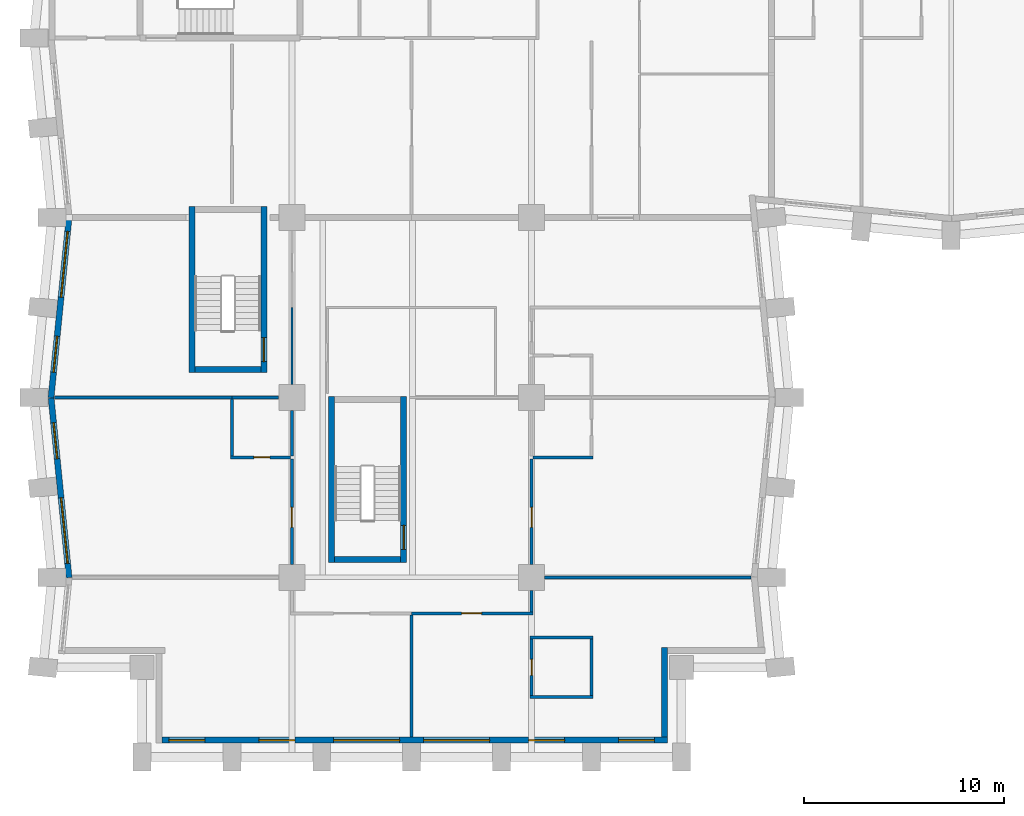
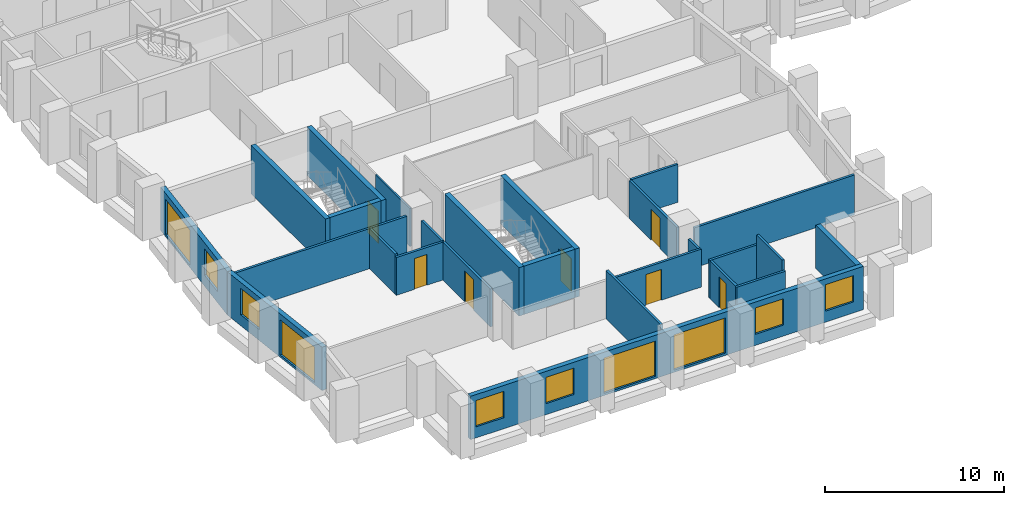
# One storey, part 3 of 13: 27 walls, 10 windows, 7 doors, 17 openings.
"""IFC4 building model written with IfcOpenShell, lengths in metres."""

from ifc_helpers import new_model, si_unit, direction, frame, frame_2d, origin, place, context, subcontext, project, spatial, rectangle, extrude, material, layer, layer_set, type_object, element, fill, save


model = new_model("IFC4")

# Units and contexts
model_context = context("Model", 3, precision=1e-05, world=origin(), true_north=direction((0.0, 1.0)))
body_context = subcontext(model_context, "Body", "Model", "MODEL_VIEW")
ifc_project = project(units=[si_unit("LENGTHUNIT", "METRE"), si_unit("AREAUNIT", "SQUARE_METRE"), si_unit("VOLUMEUNIT", "CUBIC_METRE"), si_unit("PLANEANGLEUNIT", "RADIAN"), si_unit("MASSUNIT", "GRAM", prefix="KILO")], contexts=[model_context])

# Site, building, storey
site_placement = place(None, origin())
site = spatial("IfcSite", under=ifc_project, at=site_placement, CompositionType="ELEMENT")
building_placement = place(site_placement, origin())
building = spatial("IfcBuilding", under=site, at=building_placement, Name="Brondeck Convention Tower", CompositionType="ELEMENT")
storey_placement = place(building_placement, frame((0.0, 0.0, 48.300048828125)))
storey = spatial("IfcBuildingStorey", under=building, at=storey_placement, Name="L09", CompositionType="ELEMENT", Elevation=48.300048828125)

# Wall, openings, windows
ifc_material_1 = material(Name="Precast concrete C50/60 bronze finish", Category="concrete")
ifc_layer_1 = layer(ifc_material_1, 0.070068359375, Name="Bronze precast facing")
ifc_material_2 = material(Name="Mineral wool")
ifc_layer_2 = layer(ifc_material_2, 0.159912109375, Name="Insulation")
ifc_material_3 = material(Name="Concrete C35/45", Category="concrete")
ifc_layer_3 = layer(ifc_material_3, 0.070068359375, Name="Backing")
ifc_layer_set_1 = layer_set([ifc_layer_1, ifc_layer_2, ifc_layer_3], Name="External infill wall, precast concrete C50/60 bronze facing")
wall_type_1 = type_object("IfcWallType", Name="External infill wall, precast concrete C50/60 bronze facing", PredefinedType="SOLIDWALL", material=ifc_layer_set_1)
wall_1_placement = place(storey_placement, frame((30.800048828125, 0.85009765625, 0.0), z_axis=(0.0, 0.0, 1.0), x_axis=(-1.0, 0.0, 0.0)))
wall_1 = element("IfcWall", 1, at=wall_1_placement, inside=storey, type_object=wall_type_1, Name="ENV-EW-L09-P0-B-S0-01", PredefinedType="SOLIDWALL", context=body_context, shape_type="SweptSolid", body=[
    extrude(rectangle(XDim=25.300048828125, YDim=0.300048828125, at=frame_2d((12.64990234375, 0.0))), origin(), (0.0, 0.0, 1.0), 2.949951171875),
])
opening_1_placement = place(wall_1_placement, frame((0.64990234375, 0.0, 0.75)))
opening_1 = element("IfcOpeningElement", 2, at=opening_1_placement, cuts=wall_1, Name="Opening W10", PredefinedType="OPENING", context=body_context, shape_type="SweptSolid", body=[
    extrude(rectangle(XDim=1.800048828125, YDim=1.800048828125, at=frame_2d((0.89990234375, 0.89990234375))), frame((0.0, 0.159912109375, 0.0), z_axis=(0.0, -1.0, 0.0), x_axis=(1.0, 0.0, 0.0)), (0.0, 0.0, 1.0), 0.320068359375),
])
opening_2_placement = place(wall_1_placement, frame((5.14990234375, 0.0, 0.75)))
opening_2 = element("IfcOpeningElement", 3, at=opening_2_placement, cuts=wall_1, Name="Opening W10", PredefinedType="OPENING", context=body_context, shape_type="SweptSolid", body=[
    extrude(rectangle(XDim=1.800048828125, YDim=1.800048828125, at=frame_2d((0.89990234375, 0.89990234375))), frame((0.0, 0.159912109375, 0.0), z_axis=(0.0, -1.0, 0.0), x_axis=(1.0, 0.0, 0.0)), (0.0, 0.0, 1.0), 0.320068359375),
])
opening_3_placement = place(wall_1_placement, frame((8.89990234375, 0.0, 0.14990234375)))
opening_3 = element("IfcOpeningElement", 4, at=opening_3_placement, cuts=wall_1, Name="Opening W9", PredefinedType="OPENING", context=body_context, shape_type="SweptSolid", body=[
    extrude(rectangle(XDim=3.300048828125, YDim=2.39990234375, at=frame_2d((1.64990234375, 1.199951171875))), frame((0.0, 0.159912109375, 0.0), z_axis=(0.0, -1.0, 0.0), x_axis=(1.0, 0.0, 0.0)), (0.0, 0.0, 1.0), 0.320068359375),
])
opening_4_placement = place(wall_1_placement, frame((13.39990234375, 0.0, 0.14990234375)))
opening_4 = element("IfcOpeningElement", 5, at=opening_4_placement, cuts=wall_1, Name="Opening W9", PredefinedType="OPENING", context=body_context, shape_type="SweptSolid", body=[
    extrude(rectangle(XDim=3.300048828125, YDim=2.39990234375, at=frame_2d((1.64990234375, 1.199951171875))), frame((0.0, 0.159912109375, 0.0), z_axis=(0.0, -1.0, 0.0), x_axis=(1.0, 0.0, 0.0)), (0.0, 0.0, 1.0), 0.320068359375),
])
opening_5_placement = place(wall_1_placement, frame((18.64990234375, 0.0, 0.75)))
opening_5 = element("IfcOpeningElement", 6, at=opening_5_placement, cuts=wall_1, Name="Opening W10", PredefinedType="OPENING", context=body_context, shape_type="SweptSolid", body=[
    extrude(rectangle(XDim=1.800048828125, YDim=1.800048828125, at=frame_2d((0.89990234375, 0.89990234375))), frame((0.0, 0.159912109375, 0.0), z_axis=(0.0, -1.0, 0.0), x_axis=(1.0, 0.0, 0.0)), (0.0, 0.0, 1.0), 0.320068359375),
])
opening_6_placement = place(wall_1_placement, frame((23.14990234375, 0.0, 0.75)))
opening_6 = element("IfcOpeningElement", 7, at=opening_6_placement, cuts=wall_1, Name="Opening W10", PredefinedType="OPENING", context=body_context, shape_type="SweptSolid", body=[
    extrude(rectangle(XDim=1.800048828125, YDim=1.800048828125, at=frame_2d((0.89990234375, 0.89990234375))), frame((0.0, 0.159912109375, 0.0), z_axis=(0.0, -1.0, 0.0), x_axis=(1.0, 0.0, 0.0)), (0.0, 0.0, 1.0), 0.320068359375),
])
ifc_material_4 = material(Name="Bronze tinted double glazing", Category="glass")
window_type_1 = type_object("IfcWindowType", Name="Glazed flute window, bronze tinted", PartitioningType="SINGLE_PANEL", PredefinedType="WINDOW", material=ifc_material_4)
window_1_placement = place(opening_3_placement, origin())
window_1 = element("IfcWindow", 8, at=window_1_placement, inside=storey, type_object=window_type_1, Name="ENV-WN-L09-P0-B-S0-04", OverallHeight=2.39990234375, OverallWidth=3.300048828125, PartitioningType="SINGLE_PANEL", PredefinedType="WINDOW", context=body_context, shape_type="SweptSolid", body=[
    extrude(rectangle(XDim=3.300048828125, YDim=2.39990234375, at=frame_2d((1.64990234375, 1.199951171875))), frame((0.0, 0.030029296875, 0.0), z_axis=(0.0, -1.0, 0.0), x_axis=(1.0, 0.0, 0.0)), (0.0, 0.0, 1.0), 0.06005859375),
])
fill(opening_3, window_1)
window_2_placement = place(opening_4_placement, origin())
window_2 = element("IfcWindow", 9, at=window_2_placement, inside=storey, type_object=window_type_1, Name="ENV-WN-L09-P0-B-S0-03", OverallHeight=2.39990234375, OverallWidth=3.300048828125, PartitioningType="SINGLE_PANEL", PredefinedType="WINDOW", context=body_context, shape_type="SweptSolid", body=[
    extrude(rectangle(XDim=3.300048828125, YDim=2.39990234375, at=frame_2d((1.64990234375, 1.199951171875))), frame((0.0, 0.030029296875, 0.0), z_axis=(0.0, -1.0, 0.0), x_axis=(1.0, 0.0, 0.0)), (0.0, 0.0, 1.0), 0.06005859375),
])
fill(opening_4, window_2)
window_type_2 = type_object("IfcWindowType", Name="Punched window, bronze tinted", PartitioningType="SINGLE_PANEL", PredefinedType="WINDOW", material=ifc_material_4)
window_3_placement = place(opening_1_placement, origin())
window_3 = element("IfcWindow", 10, at=window_3_placement, inside=storey, type_object=window_type_2, Name="ENV-WN-L09-P0-B-S0-06", OverallHeight=1.800048828125, OverallWidth=1.800048828125, PartitioningType="SINGLE_PANEL", PredefinedType="WINDOW", context=body_context, shape_type="SweptSolid", body=[
    extrude(rectangle(XDim=1.800048828125, YDim=1.800048828125, at=frame_2d((0.89990234375, 0.89990234375))), frame((0.0, 0.030029296875, 0.0), z_axis=(0.0, -1.0, 0.0), x_axis=(1.0, 0.0, 0.0)), (0.0, 0.0, 1.0), 0.06005859375),
])
fill(opening_1, window_3)
window_4_placement = place(opening_2_placement, origin())
window_4 = element("IfcWindow", 11, at=window_4_placement, inside=storey, type_object=window_type_2, Name="ENV-WN-L09-P0-B-S0-05", OverallHeight=1.800048828125, OverallWidth=1.800048828125, PartitioningType="SINGLE_PANEL", PredefinedType="WINDOW", context=body_context, shape_type="SweptSolid", body=[
    extrude(rectangle(XDim=1.800048828125, YDim=1.800048828125, at=frame_2d((0.89990234375, 0.89990234375))), frame((0.0, 0.030029296875, 0.0), z_axis=(0.0, -1.0, 0.0), x_axis=(1.0, 0.0, 0.0)), (0.0, 0.0, 1.0), 0.06005859375),
])
fill(opening_2, window_4)
window_5_placement = place(opening_5_placement, origin())
window_5 = element("IfcWindow", 12, at=window_5_placement, inside=storey, type_object=window_type_2, Name="ENV-WN-L09-P0-B-S0-02", OverallHeight=1.800048828125, OverallWidth=1.800048828125, PartitioningType="SINGLE_PANEL", PredefinedType="WINDOW", context=body_context, shape_type="SweptSolid", body=[
    extrude(rectangle(XDim=1.800048828125, YDim=1.800048828125, at=frame_2d((0.89990234375, 0.89990234375))), frame((0.0, 0.030029296875, 0.0), z_axis=(0.0, -1.0, 0.0), x_axis=(1.0, 0.0, 0.0)), (0.0, 0.0, 1.0), 0.06005859375),
])
fill(opening_5, window_5)
window_6_placement = place(opening_6_placement, origin())
window_6 = element("IfcWindow", 13, at=window_6_placement, inside=storey, type_object=window_type_2, Name="ENV-WN-L09-P0-B-S0-01", OverallHeight=1.800048828125, OverallWidth=1.800048828125, PartitioningType="SINGLE_PANEL", PredefinedType="WINDOW", context=body_context, shape_type="SweptSolid", body=[
    extrude(rectangle(XDim=1.800048828125, YDim=1.800048828125, at=frame_2d((0.89990234375, 0.89990234375))), frame((0.0, 0.030029296875, 0.0), z_axis=(0.0, -1.0, 0.0), x_axis=(1.0, 0.0, 0.0)), (0.0, 0.0, 1.0), 0.06005859375),
])
fill(opening_6, window_6)

# Wall
wall_2_placement = place(storey_placement, frame((30.64990234375, 5.5, 0.0), z_axis=(0.0, 0.0, 1.0), x_axis=(0.0, -1.0, 0.0)))
element("IfcWall", 14, at=wall_2_placement, inside=storey, type_object=wall_type_1, Name="ENV-EW-L09-P0-NC-SEB0-01", PredefinedType="SOLIDWALL", context=body_context, shape_type="SweptSolid", body=[
    extrude(rectangle(XDim=4.501953125, YDim=0.300048828125, at=frame_2d((2.2509765625, 0.0))), origin(), (0.0, 0.0, 1.0), 2.949951171875),
])

# Wall, openings, windows
wall_3_placement = place(storey_placement, frame((-0.04736328125, 17.985107421875, 0.0), z_axis=(0.0, 0.0, 1.0), x_axis=(0.099522457379, 0.995035316196, 0.0)))
wall_3 = element("IfcWall", 15, at=wall_3_placement, inside=storey, type_object=wall_type_1, Name="ENV-EW-L09-P0-B-W-08", PredefinedType="SOLIDWALL", context=body_context, shape_type="SweptSolid", body=[
    extrude(rectangle(XDim=9.030029296875, YDim=0.300048828125, at=frame_2d((4.51513671875, 0.0))), origin(), (0.0, 0.0, 1.0), 2.949951171875),
])
opening_7_placement = place(wall_3_placement, frame((1.291259765625, 0.0, 0.75)))
opening_7 = element("IfcOpeningElement", 16, at=opening_7_placement, cuts=wall_3, Name="Opening W10", PredefinedType="OPENING", context=body_context, shape_type="SweptSolid", body=[
    extrude(rectangle(XDim=1.800048828125, YDim=1.800048828125, at=frame_2d((0.89990234375, 0.89990234375))), frame((0.0, 0.159912109375, 0.0), z_axis=(0.0, -1.0, 0.0), x_axis=(1.0, 0.0, 0.0)), (0.0, 0.0, 1.0), 0.320068359375),
])
opening_8_placement = place(wall_3_placement, frame((5.063720703125, 0.0, 0.14990234375)))
opening_8 = element("IfcOpeningElement", 17, at=opening_8_placement, cuts=wall_3, Name="Opening W9", PredefinedType="OPENING", context=body_context, shape_type="SweptSolid", body=[
    extrude(rectangle(XDim=3.300048828125, YDim=2.39990234375, at=frame_2d((1.64990234375, 1.199951171875))), frame((0.0, 0.159912109375, 0.0), z_axis=(0.0, -1.0, 0.0), x_axis=(1.0, 0.0, 0.0)), (0.0, 0.0, 1.0), 0.320068359375),
])
window_7_placement = place(opening_8_placement, origin())
window_7 = element("IfcWindow", 18, at=window_7_placement, inside=storey, type_object=window_type_1, Name="ENV-WN-L09-P0-B-W-08", OverallHeight=2.39990234375, OverallWidth=3.300048828125, PartitioningType="SINGLE_PANEL", PredefinedType="WINDOW", context=body_context, shape_type="SweptSolid", body=[
    extrude(rectangle(XDim=3.300048828125, YDim=2.39990234375, at=frame_2d((1.64990234375, 1.199951171875))), frame((0.0, 0.030029296875, 0.0), z_axis=(0.0, -1.0, 0.0), x_axis=(1.0, 0.0, 0.0)), (0.0, 0.0, 1.0), 0.06005859375),
])
fill(opening_8, window_7)
window_8_placement = place(opening_7_placement, origin())
window_8 = element("IfcWindow", 19, at=window_8_placement, inside=storey, type_object=window_type_2, Name="ENV-WN-L09-P0-B-W-09", OverallHeight=1.800048828125, OverallWidth=1.800048828125, PartitioningType="SINGLE_PANEL", PredefinedType="WINDOW", context=body_context, shape_type="SweptSolid", body=[
    extrude(rectangle(XDim=1.800048828125, YDim=1.800048828125, at=frame_2d((0.89990234375, 0.89990234375))), frame((0.0, 0.030029296875, 0.0), z_axis=(0.0, -1.0, 0.0), x_axis=(1.0, 0.0, 0.0)), (0.0, 0.0, 1.0), 0.06005859375),
])
fill(opening_7, window_8)

wall_4_placement = place(storey_placement, frame((0.855712890625, 8.985107421875, 0.0), z_axis=(0.0, 0.0, 1.0), x_axis=(-0.099495688264, 0.995037993253, 0.0)))
wall_4 = element("IfcWall", 20, at=wall_4_placement, inside=storey, type_object=wall_type_1, Name="ENV-EW-L09-P0-B-W-10", PredefinedType="SOLIDWALL", context=body_context, shape_type="SweptSolid", body=[
    extrude(rectangle(XDim=9.030029296875, YDim=0.300048828125, at=frame_2d((4.51513671875, 0.0))), origin(), (0.0, 0.0, 1.0), 2.949951171875),
])
opening_9_placement = place(wall_4_placement, frame((0.711181640625, 0.0, 0.14990234375)))
opening_9 = element("IfcOpeningElement", 21, at=opening_9_placement, cuts=wall_4, Name="Opening W9", PredefinedType="OPENING", context=body_context, shape_type="SweptSolid", body=[
    extrude(rectangle(XDim=3.300048828125, YDim=2.39990234375, at=frame_2d((1.64990234375, 1.199951171875))), frame((0.0, 0.159912109375, 0.0), z_axis=(0.0, -1.0, 0.0), x_axis=(1.0, 0.0, 0.0)), (0.0, 0.0, 1.0), 0.320068359375),
])
opening_10_placement = place(wall_4_placement, frame((5.983642578125, 0.0, 0.75)))
opening_10 = element("IfcOpeningElement", 22, at=opening_10_placement, cuts=wall_4, Name="Opening W10", PredefinedType="OPENING", context=body_context, shape_type="SweptSolid", body=[
    extrude(rectangle(XDim=1.800048828125, YDim=1.800048828125, at=frame_2d((0.89990234375, 0.89990234375))), frame((0.0, 0.159912109375, 0.0), z_axis=(0.0, -1.0, 0.0), x_axis=(1.0, 0.0, 0.0)), (0.0, 0.0, 1.0), 0.320068359375),
])
window_9_placement = place(opening_9_placement, origin())
window_9 = element("IfcWindow", 23, at=window_9_placement, inside=storey, type_object=window_type_1, Name="ENV-WN-L09-P0-B-W-11", OverallHeight=2.39990234375, OverallWidth=3.300048828125, PartitioningType="SINGLE_PANEL", PredefinedType="WINDOW", context=body_context, shape_type="SweptSolid", body=[
    extrude(rectangle(XDim=3.300048828125, YDim=2.39990234375, at=frame_2d((1.64990234375, 1.199951171875))), frame((0.0, 0.030029296875, 0.0), z_axis=(0.0, -1.0, 0.0), x_axis=(1.0, 0.0, 0.0)), (0.0, 0.0, 1.0), 0.06005859375),
])
fill(opening_9, window_9)
window_10_placement = place(opening_10_placement, origin())
window_10 = element("IfcWindow", 24, at=window_10_placement, inside=storey, type_object=window_type_2, Name="ENV-WN-L09-P0-B-W-10", OverallHeight=1.800048828125, OverallWidth=1.800048828125, PartitioningType="SINGLE_PANEL", PredefinedType="WINDOW", context=body_context, shape_type="SweptSolid", body=[
    extrude(rectangle(XDim=1.800048828125, YDim=1.800048828125, at=frame_2d((0.89990234375, 0.89990234375))), frame((0.0, 0.030029296875, 0.0), z_axis=(0.0, -1.0, 0.0), x_axis=(1.0, 0.0, 0.0)), (0.0, 0.0, 1.0), 0.06005859375),
])
fill(opening_10, window_10)

# Walls
ifc_material_5 = material(Name="Double gypsum board acoustic wall")
ifc_layer_4 = layer(ifc_material_5, 0.14990234375)
ifc_layer_set_2 = layer_set([ifc_layer_4], Name="Guest room party wall 150")
wall_type_2 = type_object("IfcWallType", Name="Guest room party wall 150", PredefinedType="PARTITIONING", material=ifc_layer_set_2)
wall_5_placement = place(storey_placement, frame((23.925048828125, 3.0, 0.0), z_axis=(0.0, 0.0, 1.0), x_axis=(1.0, 0.0, 0.0)))
element("IfcWall", 25, at=wall_5_placement, inside=storey, type_object=wall_type_2, Name="FLR-L09-W001", PredefinedType="PARTITIONING", context=body_context, shape_type="SweptSolid", body=[
    extrude(rectangle(XDim=3.14990234375, YDim=0.14990234375, at=frame_2d((1.574951171875, 0.0))), origin(), (0.0, 0.0, 1.0), 2.579833984375),
])
wall_6_placement = place(storey_placement, frame((27.0, 3.074951171875, 0.0), z_axis=(0.0, 0.0, 1.0), x_axis=(0.0, 1.0, 0.0)))
element("IfcWall", 26, at=wall_6_placement, inside=storey, type_object=wall_type_2, Name="FLR-L09-W002", PredefinedType="PARTITIONING", context=body_context, shape_type="SweptSolid", body=[
    extrude(rectangle(XDim=2.85009765625, YDim=0.14990234375, at=frame_2d((1.425048828125, 0.0))), origin(), (0.0, 0.0, 1.0), 3.280029296875),
])

# Wall, opening, door
wall_7_placement = place(storey_placement, frame((24.0, 5.925048828125, 0.0), z_axis=(0.0, 0.0, 1.0), x_axis=(0.0, -1.0, 0.0)))
wall_7 = element("IfcWall", 27, at=wall_7_placement, inside=storey, type_object=wall_type_2, Name="FLR-L09-W003", PredefinedType="PARTITIONING", context=body_context, shape_type="SweptSolid", body=[
    extrude(rectangle(XDim=2.85009765625, YDim=0.14990234375, at=frame_2d((1.425048828125, 0.0))), origin(), (0.0, 0.0, 1.0), 2.579833984375),
])
opening_11_placement = place(wall_7_placement, frame((1.02490234375, 0.0, 0.0)))
opening_11 = element("IfcOpeningElement", 28, at=opening_11_placement, cuts=wall_7, Name="Opening H2-032", PredefinedType="OPENING", context=body_context, shape_type="SweptSolid", body=[
    extrude(rectangle(XDim=0.800048828125, YDim=2.10009765625, at=frame_2d((0.39990234375, 1.050048828125))), frame((0.0, 0.0849609375, 0.0), z_axis=(0.0, -1.0, 0.0), x_axis=(1.0, 0.0, 0.0)), (0.0, 0.0, 1.0), 0.169921875),
])
ifc_material_6 = material(Name="Solid timber door leaf", Category="wood")
door_type_1 = type_object("IfcDoorType", Name="En-suite door 800", OperationType="NOTDEFINED", PredefinedType="DOOR", material=ifc_material_6)
door_1_placement = place(opening_11_placement, origin())
door_1 = element("IfcDoor", 29, at=door_1_placement, inside=storey, type_object=door_type_1, Name="Door H2-032", OperationType="SINGLE_SWING_RIGHT", OverallHeight=2.10009765625, OverallWidth=0.800048828125, PredefinedType="DOOR", context=body_context, shape_type="SweptSolid", body=[
    extrude(rectangle(XDim=0.800048828125, YDim=2.10009765625, at=frame_2d((0.39990234375, 1.050048828125))), frame((0.0, 0.02490234375, 0.0), z_axis=(0.0, -1.0, 0.0), x_axis=(1.0, 0.0, 0.0)), (0.0, 0.0, 1.0), 0.050048828125),
])
fill(opening_11, door_1)

# Walls
wall_8_placement = place(storey_placement, frame((27.074951171875, 6.0, 0.0), z_axis=(0.0, 0.0, 1.0), x_axis=(-1.0, 0.0, 0.0)))
element("IfcWall", 30, at=wall_8_placement, inside=storey, type_object=wall_type_2, Name="FLR-L09-W004", PredefinedType="PARTITIONING", context=body_context, shape_type="SweptSolid", body=[
    extrude(rectangle(XDim=3.14990234375, YDim=0.14990234375, at=frame_2d((1.574951171875, 0.0))), origin(), (0.0, 0.0, 1.0), 2.579833984375),
])
wall_9_placement = place(storey_placement, frame((18.0, 7.125, 0.0), z_axis=(0.0, 0.0, 1.0), x_axis=(0.0, -1.0, 0.0)))
element("IfcWall", 31, at=wall_9_placement, inside=storey, type_object=wall_type_2, Name="FLR-L09-W005", PredefinedType="PARTITIONING", context=body_context, shape_type="SweptSolid", body=[
    extrude(rectangle(XDim=6.10498046875, YDim=0.14990234375, at=frame_2d((3.052490234375, 0.0))), origin(), (0.0, 0.0, 1.0), 3.280029296875),
])

# Wall, opening, door
wall_10_placement = place(storey_placement, frame((24.074951171875, 7.199951171875, 0.0), z_axis=(0.0, 0.0, 1.0), x_axis=(-1.0, 0.0, 0.0)))
wall_10 = element("IfcWall", 32, at=wall_10_placement, inside=storey, type_object=wall_type_2, Name="FLR-L09-W007", PredefinedType="PARTITIONING", context=body_context, shape_type="SweptSolid", body=[
    extrude(rectangle(XDim=6.074951171875, YDim=0.14990234375, at=frame_2d((3.03759765625, 0.0))), origin(), (0.0, 0.0, 1.0), 2.579833984375),
])
opening_12_placement = place(wall_10_placement, frame((2.574951171875, 0.0, 0.0)))
opening_12 = element("IfcOpeningElement", 33, at=opening_12_placement, cuts=wall_10, Name="Opening H2-031", PredefinedType="OPENING", context=body_context, shape_type="SweptSolid", body=[
    extrude(rectangle(XDim=1.0, YDim=2.10009765625, at=frame_2d((0.5, 1.050048828125))), frame((0.0, 0.0849609375, 0.0), z_axis=(0.0, -1.0, 0.0), x_axis=(1.0, 0.0, 0.0)), (0.0, 0.0, 1.0), 0.169921875),
])
ifc_material_7 = material(Name="Solid timber fire door leaf", Category="wood")
door_type_2 = type_object("IfcDoorType", Name="Guest room door 1000", OperationType="NOTDEFINED", PredefinedType="DOOR", material=ifc_material_7)
door_2_placement = place(opening_12_placement, origin())
door_2 = element("IfcDoor", 34, at=door_2_placement, inside=storey, type_object=door_type_2, Name="Door H2-031", OperationType="SINGLE_SWING_LEFT", OverallHeight=2.10009765625, OverallWidth=1.0, PredefinedType="DOOR", context=body_context, shape_type="SweptSolid", body=[
    extrude(rectangle(XDim=1.0, YDim=2.10009765625, at=frame_2d((0.5, 1.050048828125))), frame((0.0, 0.02490234375, 0.0), z_axis=(0.0, -1.0, 0.0), x_axis=(1.0, 0.0, 0.0)), (0.0, 0.0, 1.0), 0.050048828125),
])
fill(opening_12, door_2)

# Walls
wall_11_placement = place(storey_placement, frame((24.0, 8.344970703125, 0.0), z_axis=(0.0, 0.0, 1.0), x_axis=(0.0, -1.0, 0.0)))
element("IfcWall", 35, at=wall_11_placement, inside=storey, type_object=wall_type_2, Name="FLR-L09-W009", PredefinedType="PARTITIONING", context=body_context, shape_type="SweptSolid", body=[
    extrude(rectangle(XDim=1.070068359375, YDim=0.14990234375, at=frame_2d((0.53515625, 0.0))), origin(), (0.0, 0.0, 1.0), 2.579833984375),
])
wall_12_placement = place(storey_placement, frame((34.97509765625, 9.0, 0.0), z_axis=(0.0, 0.0, 1.0), x_axis=(-1.0, 0.0, 0.0)))
element("IfcWall", 36, at=wall_12_placement, inside=storey, type_object=wall_type_2, Name="FLR-L09-W011", PredefinedType="PARTITIONING", context=body_context, shape_type="SweptSolid", body=[
    extrude(rectangle(XDim=10.320068359375, YDim=0.14990234375, at=frame_2d((5.16015625, 0.0))), origin(), (0.0, 0.0, 1.0), 2.72998046875),
])

# Wall, opening, door
wall_13_placement = place(storey_placement, frame((12.0, 9.655029296875, 0.0), z_axis=(0.0, 0.0, 1.0), x_axis=(0.0, 1.0, 0.0)))
wall_13 = element("IfcWall", 37, at=wall_13_placement, inside=storey, type_object=wall_type_2, Name="FLR-L09-W012", PredefinedType="PARTITIONING", context=body_context, shape_type="SweptSolid", body=[
    extrude(rectangle(XDim=5.27001953125, YDim=0.14990234375, at=frame_2d((2.635009765625, 0.0))), origin(), (0.0, 0.0, 1.0), 2.579833984375),
])
opening_13_placement = place(wall_13_placement, frame((1.844970703125, 0.0, 0.0)))
opening_13 = element("IfcOpeningElement", 38, at=opening_13_placement, cuts=wall_13, Name="Opening H2-023", PredefinedType="OPENING", context=body_context, shape_type="SweptSolid", body=[
    extrude(rectangle(XDim=1.0, YDim=2.10009765625, at=frame_2d((0.5, 1.050048828125))), frame((0.0, 0.0849609375, 0.0), z_axis=(0.0, -1.0, 0.0), x_axis=(1.0, 0.0, 0.0)), (0.0, 0.0, 1.0), 0.169921875),
])
door_3_placement = place(opening_13_placement, origin())
door_3 = element("IfcDoor", 39, at=door_3_placement, inside=storey, type_object=door_type_2, Name="Door H2-023", OperationType="SINGLE_SWING_RIGHT", OverallHeight=2.10009765625, OverallWidth=1.0, PredefinedType="DOOR", context=body_context, shape_type="SweptSolid", body=[
    extrude(rectangle(XDim=1.0, YDim=2.10009765625, at=frame_2d((0.5, 1.050048828125))), frame((0.0, 0.02490234375, 0.0), z_axis=(0.0, -1.0, 0.0), x_axis=(1.0, 0.0, 0.0)), (0.0, 0.0, 1.0), 0.050048828125),
])
fill(opening_13, door_3)

wall_14_placement = place(storey_placement, frame((24.0, 14.925048828125, 0.0), z_axis=(0.0, 0.0, 1.0), x_axis=(0.0, -1.0, 0.0)))
wall_14 = element("IfcWall", 40, at=wall_14_placement, inside=storey, type_object=wall_type_2, Name="FLR-L09-W013", PredefinedType="PARTITIONING", context=body_context, shape_type="SweptSolid", body=[
    extrude(rectangle(XDim=5.27001953125, YDim=0.14990234375, at=frame_2d((2.635009765625, 0.0))), origin(), (0.0, 0.0, 1.0), 2.579833984375),
])
opening_14_placement = place(wall_14_placement, frame((2.425048828125, 0.0, 0.0)))
opening_14 = element("IfcOpeningElement", 41, at=opening_14_placement, cuts=wall_14, Name="Opening H2-027", PredefinedType="OPENING", context=body_context, shape_type="SweptSolid", body=[
    extrude(rectangle(XDim=1.0, YDim=2.10009765625, at=frame_2d((0.5, 1.050048828125))), frame((0.0, 0.0849609375, 0.0), z_axis=(0.0, -1.0, 0.0), x_axis=(1.0, 0.0, 0.0)), (0.0, 0.0, 1.0), 0.169921875),
])
door_4_placement = place(opening_14_placement, origin())
door_4 = element("IfcDoor", 42, at=door_4_placement, inside=storey, type_object=door_type_2, Name="Door H2-027", OperationType="SINGLE_SWING_RIGHT", OverallHeight=2.10009765625, OverallWidth=1.0, PredefinedType="DOOR", context=body_context, shape_type="SweptSolid", body=[
    extrude(rectangle(XDim=1.0, YDim=2.10009765625, at=frame_2d((0.5, 1.050048828125))), frame((0.0, 0.02490234375, 0.0), z_axis=(0.0, -1.0, 0.0), x_axis=(1.0, 0.0, 0.0)), (0.0, 0.0, 1.0), 0.050048828125),
])
fill(opening_14, door_4)

wall_15_placement = place(storey_placement, frame((8.925048828125, 15.0, 0.0), z_axis=(0.0, 0.0, 1.0), x_axis=(1.0, 0.0, 0.0)))
wall_15 = element("IfcWall", 43, at=wall_15_placement, inside=storey, type_object=wall_type_2, Name="FLR-L09-W014", PredefinedType="PARTITIONING", context=body_context, shape_type="SweptSolid", body=[
    extrude(rectangle(XDim=3.0, YDim=0.14990234375, at=frame_2d((1.5, 0.0))), origin(), (0.0, 0.0, 1.0), 2.579833984375),
])
opening_15_placement = place(wall_15_placement, frame((1.175048828125, 0.0, 0.0)))
opening_15 = element("IfcOpeningElement", 44, at=opening_15_placement, cuts=wall_15, Name="Opening H2-024", PredefinedType="OPENING", context=body_context, shape_type="SweptSolid", body=[
    extrude(rectangle(XDim=0.800048828125, YDim=2.10009765625, at=frame_2d((0.39990234375, 1.050048828125))), frame((0.0, 0.0849609375, 0.0), z_axis=(0.0, -1.0, 0.0), x_axis=(1.0, 0.0, 0.0)), (0.0, 0.0, 1.0), 0.169921875),
])
door_5_placement = place(opening_15_placement, origin())
door_5 = element("IfcDoor", 45, at=door_5_placement, inside=storey, type_object=door_type_1, Name="Door H2-024", OperationType="SINGLE_SWING_RIGHT", OverallHeight=2.10009765625, OverallWidth=0.800048828125, PredefinedType="DOOR", context=body_context, shape_type="SweptSolid", body=[
    extrude(rectangle(XDim=0.800048828125, YDim=2.10009765625, at=frame_2d((0.39990234375, 1.050048828125))), frame((0.0, 0.02490234375, 0.0), z_axis=(0.0, -1.0, 0.0), x_axis=(1.0, 0.0, 0.0)), (0.0, 0.0, 1.0), 0.050048828125),
])
fill(opening_15, door_5)

# Walls
wall_16_placement = place(storey_placement, frame((24.074951171875, 15.0, 0.0), z_axis=(0.0, 0.0, 1.0), x_axis=(1.0, 0.0, 0.0)))
element("IfcWall", 46, at=wall_16_placement, inside=storey, type_object=wall_type_2, Name="FLR-L09-W015", PredefinedType="PARTITIONING", context=body_context, shape_type="SweptSolid", body=[
    extrude(rectangle(XDim=3.0, YDim=0.14990234375, at=frame_2d((1.5, 0.0))), origin(), (0.0, 0.0, 1.0), 2.579833984375),
])
wall_17_placement = place(storey_placement, frame((12.0, 15.074951171875, 0.0), z_axis=(0.0, 0.0, 1.0), x_axis=(0.0, 1.0, 0.0)))
element("IfcWall", 47, at=wall_17_placement, inside=storey, type_object=wall_type_2, Name="FLR-L09-W016", PredefinedType="PARTITIONING", context=body_context, shape_type="SweptSolid", body=[
    extrude(rectangle(XDim=2.27001953125, YDim=0.14990234375, at=frame_2d((1.135009765625, 0.0))), origin(), (0.0, 0.0, 1.0), 2.579833984375),
])
wall_18_placement = place(storey_placement, frame((9.0, 17.925048828125, 0.0), z_axis=(0.0, 0.0, 1.0), x_axis=(0.0, -1.0, 0.0)))
element("IfcWall", 48, at=wall_18_placement, inside=storey, type_object=wall_type_2, Name="FLR-L09-W019", PredefinedType="PARTITIONING", context=body_context, shape_type="SweptSolid", body=[
    extrude(rectangle(XDim=2.85009765625, YDim=0.14990234375, at=frame_2d((1.425048828125, 0.0))), origin(), (0.0, 0.0, 1.0), 2.72998046875),
])
wall_19_placement = place(storey_placement, frame((9.0, 18.0, 0.0), z_axis=(0.0, 0.0, 1.0), x_axis=(-1.0, 0.0, 0.0)))
element("IfcWall", 49, at=wall_19_placement, inside=storey, type_object=wall_type_2, Name="FLR-L09-W020", PredefinedType="PARTITIONING", context=body_context, shape_type="SweptSolid", body=[
    extrude(rectangle(XDim=8.875, YDim=0.14990234375, at=frame_2d((4.4375, 0.0))), origin(), (0.0, 0.0, 1.0), 2.72998046875),
])
wall_20_placement = place(storey_placement, frame((11.344970703125, 18.0, 0.0), z_axis=(0.0, 0.0, 1.0), x_axis=(-1.0, 0.0, 0.0)))
element("IfcWall", 50, at=wall_20_placement, inside=storey, type_object=wall_type_2, Name="FLR-L09-W021", PredefinedType="PARTITIONING", context=body_context, shape_type="SweptSolid", body=[
    extrude(rectangle(XDim=2.344970703125, YDim=0.14990234375, at=frame_2d((1.17236328125, 0.0))), origin(), (0.0, 0.0, 1.0), 2.72998046875),
])
ifc_material_8 = material(Name="Gypsum board partition on steel studs", Category="steel")
ifc_layer_5 = layer(ifc_material_8, 0.10009765625)
ifc_layer_set_3 = layer_set([ifc_layer_5], Name="Room partition 100")
wall_type_3 = type_object("IfcWallType", Name="Room partition 100", PredefinedType="PARTITIONING", material=ifc_layer_set_3)
wall_21_placement = place(storey_placement, frame((12.0, 22.5, 0.0), z_axis=(0.0, 0.0, 1.0), x_axis=(0.0, -1.0, 0.0)))
element("IfcWall", 51, at=wall_21_placement, inside=storey, type_object=wall_type_3, Name="FLR-L09-W031", PredefinedType="PARTITIONING", context=body_context, shape_type="SweptSolid", body=[
    extrude(rectangle(XDim=3.844970703125, YDim=0.10009765625, at=frame_2d((1.92236328125, 0.0))), origin(), (0.0, 0.0, 1.0), 2.579833984375),
])
ifc_material_9 = material(Name="Concrete C80/95", Category="concrete")
ifc_layer_6 = layer(ifc_material_9, 0.300048828125)
ifc_layer_set_4 = layer_set([ifc_layer_6], Name="Stair enclosure wall 300 Concrete C80/95")
wall_type_4 = type_object("IfcWallType", Name="Stair enclosure wall 300 Concrete C80/95", PredefinedType="SHEAR", material=ifc_layer_set_4)
for number, where, z_axis, x_axis, name in (
    (52, (14.14990234375, 9.89990234375, 0.0), (0.0, 0.0, 1.0), (1.0, 0.0, 0.0), "L09 core wall"),
    (53, (7.14990234375, 19.39990234375, 0.0), (0.0, 0.0, 1.0), (1.0, 0.0, 0.0), "L09 core wall"),
):
    element("IfcWall", number, at=place(storey_placement, frame(where, z_axis=z_axis, x_axis=x_axis)), inside=storey, type_object=wall_type_4, Name=name, PredefinedType="SHEAR", context=body_context, shape_type="SweptSolid", body=[
        extrude(rectangle(XDim=3.300048828125, YDim=0.300048828125, at=frame_2d((1.64990234375, 0.0))), origin(), (0.0, 0.0, 1.0), 3.300048828125),
    ])
wall_22_placement = place(storey_placement, frame((7.0, 19.25, 0.0), z_axis=(0.0, 0.0, 1.0), x_axis=(0.0, 1.0, 0.0)))
element("IfcWall", 54, at=wall_22_placement, inside=storey, type_object=wall_type_4, Name="L09 core wall", PredefinedType="SHEAR", context=body_context, shape_type="SweptSolid", body=[
    extrude(rectangle(XDim=8.300048828125, YDim=0.300048828125, at=frame_2d((4.14990234375, 0.0))), origin(), (0.0, 0.0, 1.0), 3.300048828125),
])

# Wall, opening, door
wall_23_placement = place(storey_placement, frame((10.60009765625, 19.25, 0.0), z_axis=(0.0, 0.0, 1.0), x_axis=(0.0, 1.0, 0.0)))
wall_23 = element("IfcWall", 55, at=wall_23_placement, inside=storey, type_object=wall_type_4, Name="L09 core wall", PredefinedType="SHEAR", context=body_context, shape_type="SweptSolid", body=[
    extrude(rectangle(XDim=8.300048828125, YDim=0.300048828125, at=frame_2d((4.14990234375, 0.0))), origin(), (0.0, 0.0, 1.0), 3.300048828125),
])
opening_16_placement = place(wall_23_placement, frame((0.550048828125, 0.0, 0.0)))
opening_16 = element("IfcOpeningElement", 56, at=opening_16_placement, cuts=wall_23, Name="Opening C09-20", PredefinedType="OPENING", context=body_context, shape_type="SweptSolid", body=[
    extrude(rectangle(XDim=1.199951171875, YDim=2.199951171875, at=frame_2d((0.60009765625, 1.10009765625))), frame((0.0, 0.159912109375, 0.0), z_axis=(0.0, -1.0, 0.0), x_axis=(1.0, 0.0, 0.0)), (0.0, 0.0, 1.0), 0.320068359375),
])
ifc_material_10 = material(Name="Steel fire door", Category="steel")
door_type_3 = type_object("IfcDoorType", Name="Stair door 1200x2200 EI 90", OperationType="NOTDEFINED", PredefinedType="DOOR", material=ifc_material_10)
door_6_placement = place(opening_16_placement, origin())
door_6 = element("IfcDoor", 57, at=door_6_placement, inside=storey, type_object=door_type_3, Name="L09 Stair door ST-BE", OperationType="SINGLE_SWING_RIGHT", OverallHeight=2.199951171875, OverallWidth=1.199951171875, PredefinedType="DOOR", context=body_context, shape_type="SweptSolid", body=[
    extrude(rectangle(XDim=1.199951171875, YDim=2.199951171875, at=frame_2d((0.60009765625, 1.10009765625))), frame((0.0, 0.02490234375, 0.0), z_axis=(0.0, -1.0, 0.0), x_axis=(1.0, 0.0, 0.0)), (0.0, 0.0, 1.0), 0.050048828125),
])
fill(opening_16, door_6)

# Wall
wall_24_placement = place(storey_placement, frame((14.0, 9.75, 0.0), z_axis=(0.0, 0.0, 1.0), x_axis=(0.0, 1.0, 0.0)))
element("IfcWall", 58, at=wall_24_placement, inside=storey, type_object=wall_type_4, Name="L09 core wall", PredefinedType="SHEAR", context=body_context, shape_type="SweptSolid", body=[
    extrude(rectangle(XDim=8.300048828125, YDim=0.300048828125, at=frame_2d((4.14990234375, 0.0))), origin(), (0.0, 0.0, 1.0), 3.300048828125),
])

# Wall, opening, door
wall_25_placement = place(storey_placement, frame((17.60009765625, 9.75, 0.0), z_axis=(0.0, 0.0, 1.0), x_axis=(0.0, 1.0, 0.0)))
wall_25 = element("IfcWall", 59, at=wall_25_placement, inside=storey, type_object=wall_type_4, Name="L09 core wall", PredefinedType="SHEAR", context=body_context, shape_type="SweptSolid", body=[
    extrude(rectangle(XDim=8.300048828125, YDim=0.300048828125, at=frame_2d((4.14990234375, 0.0))), origin(), (0.0, 0.0, 1.0), 3.300048828125),
])
opening_17_placement = place(wall_25_placement, frame((0.64990234375, 0.0, 0.0)))
opening_17 = element("IfcOpeningElement", 60, at=opening_17_placement, cuts=wall_25, Name="Opening C09-21", PredefinedType="OPENING", context=body_context, shape_type="SweptSolid", body=[
    extrude(rectangle(XDim=1.199951171875, YDim=2.199951171875, at=frame_2d((0.60009765625, 1.10009765625))), frame((0.0, 0.159912109375, 0.0), z_axis=(0.0, -1.0, 0.0), x_axis=(1.0, 0.0, 0.0)), (0.0, 0.0, 1.0), 0.320068359375),
])
door_7_placement = place(opening_17_placement, origin())
door_7 = element("IfcDoor", 61, at=door_7_placement, inside=storey, type_object=door_type_3, Name="L09 Stair door ST-BF", OperationType="SINGLE_SWING_LEFT", OverallHeight=2.199951171875, OverallWidth=1.199951171875, PredefinedType="DOOR", context=body_context, shape_type="SweptSolid", body=[
    extrude(rectangle(XDim=1.199951171875, YDim=2.199951171875, at=frame_2d((0.60009765625, 1.10009765625))), frame((0.0, 0.02490234375, 0.0), z_axis=(0.0, -1.0, 0.0), x_axis=(1.0, 0.0, 0.0)), (0.0, 0.0, 1.0), 0.050048828125),
])
fill(opening_17, door_7)

save(model, "model.ifc")
